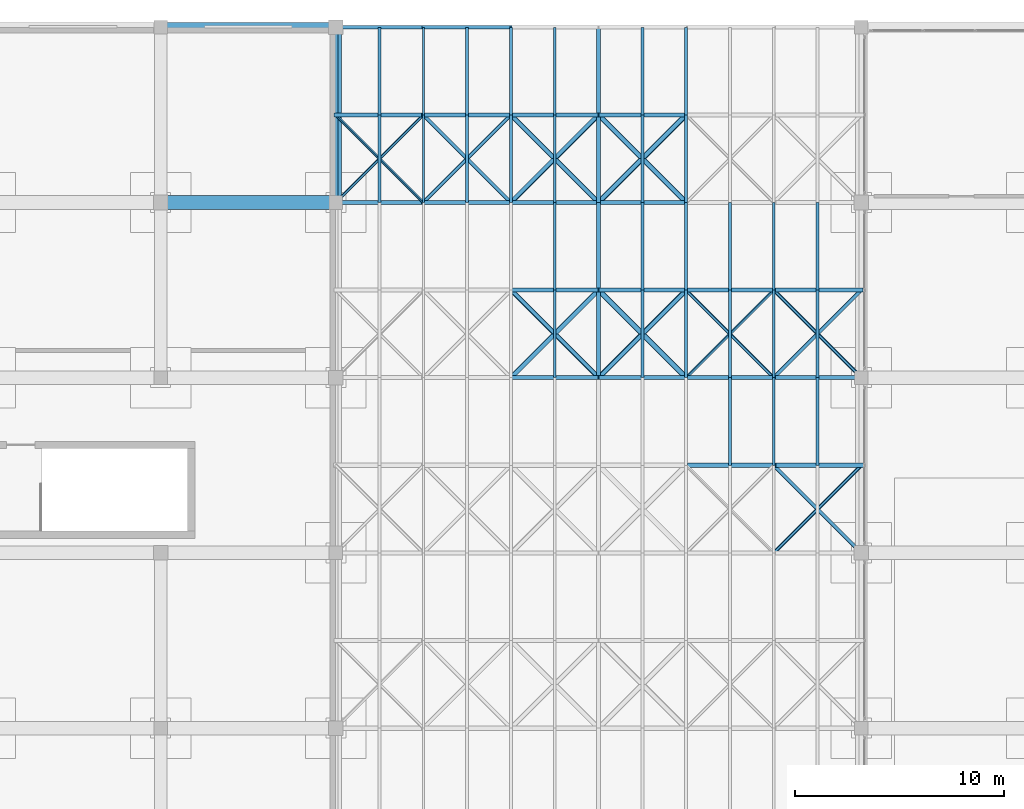
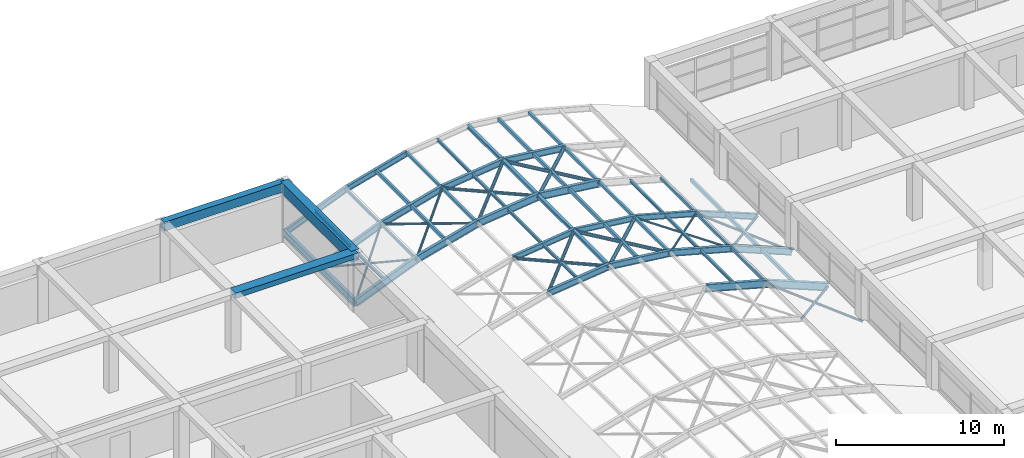
# One storey, part 39 of 85: 71 members, 4 beams.
"""IFC4 building model written with IfcOpenShell, lengths in metres."""

import ifcopenshell
import ifcopenshell.guid

model = None  # the IFC model being written
_history = None  # IfcOwnerHistory: only IFC2X3 demands one
_inside = {}  # id of a spatial element -> (the spatial element, [elements in it])
_under = {}  # id of a project, library or spatial element -> (it, [spatial elements below it])
_declared = {}  # id of a project -> (the project, [libraries it declares])
_typed = {}  # id of a type object -> (the type object, [elements of that type])
_made_of = {}  # id of a material, layer set ... -> (it, [elements and type objects made of it])


def new_model(schema):
    """Start an empty IFC model of exactly this schema.

    Asked for "IFC4X3", IfcOpenShell would pick the latest addendum, in which some entities
    have other attributes; the version numbers below select the first issue.
    IFC2X3 requires an IfcOwnerHistory on every rooted entity: one is made here for all.
    """
    global model, _history
    if schema == "IFC4X3":
        model = ifcopenshell.file(schema_version=(4, 3, 0, 0))
    else:
        model = ifcopenshell.file(schema=schema)
    _inside.clear()
    _under.clear()
    _declared.clear()
    _typed.clear()
    _made_of.clear()
    _history = None
    if model.schema == "IFC2X3":
        org = make("IfcOrganization", Name="unknown")
        user = make(
            "IfcPersonAndOrganization",
            ThePerson=make("IfcPerson", FamilyName="unknown"),
            TheOrganization=org,
        )
        app = make(
            "IfcApplication",
            ApplicationDeveloper=org,
            Version="unknown",
            ApplicationFullName="unknown",
            ApplicationIdentifier="unknown",
        )
        _history = make(
            "IfcOwnerHistory",
            OwningUser=user,
            OwningApplication=app,
            ChangeAction="ADDED",
            CreationDate=0,
        )
    return model


def make(cls, **values):
    """One entity of the class cls with the attributes given. An attribute that is None is left unset."""
    return model.create_entity(
        cls, **{name: value for name, value in values.items() if value is not None}
    )


def rooted(cls, **values):
    """An entity with a GlobalId (a new one), such as an element, a storey or a relation."""
    return make(cls, GlobalId=ifcopenshell.guid.new(), OwnerHistory=_history, **values)


def si_unit(unit_type, name, prefix=None):
    """IfcSIUnit, for example si_unit("LENGTHUNIT", "METRE", prefix="MILLI")."""
    return make("IfcSIUnit", UnitType=unit_type, Prefix=prefix, Name=name)


def assignment(units):
    """IfcUnitAssignment: the units of a project."""
    return None if units is None else make("IfcUnitAssignment", Units=units)


def point(xyz):
    """IfcCartesianPoint."""
    return None if xyz is None else make("IfcCartesianPoint", Coordinates=xyz)


def direction(xyz):
    """IfcDirection."""
    return None if xyz is None else make("IfcDirection", DirectionRatios=xyz)


def frame(location, z_axis=None, x_axis=None):
    """IfcAxis2Placement3D, a coordinate frame: its origin and axes. An axis left out is left unset."""
    return make(
        "IfcAxis2Placement3D",
        Location=point(location),
        Axis=direction(z_axis),
        RefDirection=direction(x_axis),
    )


def frame_2d(location, x_axis=None):
    """IfcAxis2Placement2D, a coordinate frame in the plane: its origin and x axis."""
    return make(
        "IfcAxis2Placement2D", Location=point(location), RefDirection=direction(x_axis)
    )


def origin():
    """The frame at (0, 0, 0) with its axes left unset."""
    return frame((0.0, 0.0, 0.0))


def origin_2d():
    """The frame at (0, 0) in the plane with its x axis left unset."""
    return frame_2d((0.0, 0.0))


def place(relative_to, where):
    """IfcLocalPlacement: puts the frame where relative to a parent placement (None: the world)."""
    return make(
        "IfcLocalPlacement", PlacementRelTo=relative_to, RelativePlacement=where
    )


def context(
    kind, dimensions, precision=None, world=None, true_north=None, identifier=None
):
    """IfcGeometricRepresentationContext, for example the 3D "Model" context."""
    return make(
        "IfcGeometricRepresentationContext",
        ContextIdentifier=identifier,
        ContextType=kind,
        CoordinateSpaceDimension=dimensions,
        Precision=precision,
        WorldCoordinateSystem=world,
        TrueNorth=true_north,
    )


def subcontext(parent, identifier, kind, view, scale=None):
    """IfcGeometricRepresentationSubContext, for example "Body" below "Model"."""
    return make(
        "IfcGeometricRepresentationSubContext",
        ContextIdentifier=identifier,
        ContextType=kind,
        ParentContext=parent,
        TargetScale=scale,
        TargetView=view,
    )


def project(units=None, contexts=None):
    """IfcProject with its units and contexts."""
    return rooted(
        "IfcProject",
        Name="project",
        RepresentationContexts=contexts,
        UnitsInContext=assignment(units),
    )


def spatial(cls, under=None, at=None, **own):
    """A site, building, storey or space (cls), placed at a placement, below another one or the project."""
    s = rooted(cls, ObjectPlacement=at, **own)
    if under is not None:
        _under.setdefault(under.id(), (under, []))[1].append(s)
    return s


def profile(cls, at=None, kind="AREA", **sizes):
    """A parametric profile (cls). Its sizes go by their IFC names, for example OverallWidth=200.0."""
    return make(cls, ProfileType=kind, Position=at, **sizes)


def rectangle(**sizes):
    """IfcRectangleProfileDef."""
    return profile("IfcRectangleProfileDef", **sizes)


def hollow_rectangle(**sizes):
    """IfcRectangleHollowProfileDef."""
    return profile("IfcRectangleHollowProfileDef", **sizes)


def hollow_circle(**sizes):
    """IfcCircleHollowProfileDef."""
    return profile("IfcCircleHollowProfileDef", **sizes)


def i_section(**sizes):
    """IfcIShapeProfileDef."""
    return profile("IfcIShapeProfileDef", **sizes)


def extrude(swept, where, along, depth):
    """IfcExtrudedAreaSolid: the profile swept, set in the frame where, extruded along a direction by depth."""
    return make(
        "IfcExtrudedAreaSolid",
        SweptArea=swept,
        Position=where,
        ExtrudedDirection=direction(along),
        Depth=depth,
    )


def shape(context_of_items, identifier, shape_type, items):
    """IfcShapeRepresentation: the items that make up one representation, for example the "Body"."""
    return make(
        "IfcShapeRepresentation",
        ContextOfItems=context_of_items,
        RepresentationIdentifier=identifier,
        RepresentationType=shape_type,
        Items=items,
    )


def material(Name=None, Category=None):
    """IfcMaterial."""
    return make("IfcMaterial", Name=Name, Category=Category)


def material_profile(
    of_material, cross_section, Name=None, Category=None, Priority=None
):
    """IfcMaterialProfile: a cross section and its material."""
    return make(
        "IfcMaterialProfile",
        Name=Name,
        Material=of_material,
        Profile=cross_section,
        Priority=Priority,
        Category=Category,
    )


def profile_set(profiles, Name=None, composite=None):
    """IfcMaterialProfileSet."""
    return make(
        "IfcMaterialProfileSet",
        Name=Name,
        MaterialProfiles=profiles,
        CompositeProfile=composite,
    )


def made_of(thing, what):
    """Note that an element or type object is made of a material, layer set ...; save() writes the relation."""
    if what is not None:
        _made_of.setdefault(what.id(), (what, []))[1].append(thing)
    return thing


def type_object(cls, material=None, **own):
    """A type object (cls), such as IfcWallType, which elements share."""
    return made_of(rooted(cls, **own), material)


def element(
    cls,
    number,
    at=None,
    inside=None,
    cuts=None,
    type_object=None,
    material=None,
    context=None,
    identifier="Body",
    shape_type=None,
    held_by="IfcProductDefinitionShape",
    body=None,
    shapes=None,
    **own,
):
    """One element of the class cls, such as IfcWall. Its Tag is "e" and its number.

    at: its placement. inside: the storey or other place that contains it. cuts: it is an
    opening in that element (IfcRelVoidsElement). A single representation is given by context,
    identifier, shape_type and body (its items); several are given by shapes. held_by: the class
    of the entity that holds the representations. save() writes the other relations.
    """
    e = rooted(cls, Tag="e%d" % number, ObjectPlacement=at, **own)
    if body is not None:
        shapes = [shape(context, identifier, shape_type, body)]
    if shapes is not None:
        e.Representation = make(held_by, Representations=shapes)
    if inside is not None:
        _inside.setdefault(inside.id(), (inside, []))[1].append(e)
    if cuts is not None:
        rooted(
            "IfcRelVoidsElement", RelatingBuildingElement=cuts, RelatedOpeningElement=e
        )
    if type_object is not None:
        _typed.setdefault(type_object.id(), (type_object, []))[1].append(e)
    return made_of(e, material)


def aggregate(whole, parts):
    """IfcRelAggregates: a whole, such as a stair, and the parts it consists of."""
    return rooted("IfcRelAggregates", RelatingObject=whole, RelatedObjects=parts)


def save(model, path):
    """Write the relations noted so far, then the file.

    IfcRelAggregates (storeys below a building ...), IfcRelContainedInSpatialStructure (elements
    in a storey), IfcRelDefinesByType, IfcRelAssociatesMaterial and IfcRelDeclares: one each for
    every whole, place, type object, material and project.
    """
    for whole, parts in _under.values():
        aggregate(whole, parts)
    for where, things in _inside.values():
        rooted(
            "IfcRelContainedInSpatialStructure",
            RelatedElements=things,
            RelatingStructure=where,
        )
    for kind, things in _typed.values():
        rooted("IfcRelDefinesByType", RelatedObjects=things, RelatingType=kind)
    for what, things in _made_of.values():
        rooted("IfcRelAssociatesMaterial", RelatedObjects=things, RelatingMaterial=what)
    for by, libraries in _declared.values():
        rooted("IfcRelDeclares", RelatingContext=by, RelatedDefinitions=libraries)
    model.write(path)


model = new_model("IFC4")

# Units and contexts
model_context = context("Model", 3, precision=1e-05, world=origin(), true_north=direction((0.0, 1.0)))
body_context = subcontext(model_context, "Body", "Model", "MODEL_VIEW")
ifc_project = project(units=[si_unit("LENGTHUNIT", "METRE"), si_unit("AREAUNIT", "SQUARE_METRE"), si_unit("VOLUMEUNIT", "CUBIC_METRE"), si_unit("PLANEANGLEUNIT", "RADIAN"), si_unit("MASSUNIT", "GRAM", prefix="KILO")], contexts=[model_context])

# Site, building, storey
site_placement = place(None, origin())
site = spatial("IfcSite", under=ifc_project, at=site_placement, CompositionType="ELEMENT")
building_placement = place(site_placement, origin())
building = spatial("IfcBuilding", under=site, at=building_placement, Name="Almacenes y Pasaje Nevantli", CompositionType="ELEMENT")
storey_placement = place(building_placement, frame((0.0, 0.0, 22.199951171875)))
storey = spatial("IfcBuildingStorey", under=building, at=storey_placement, Name="L05", CompositionType="ELEMENT", Elevation=22.199951171875)

# Beams
ifc_material_1 = material(Name="Concrete C35/45", Category="concrete")
ifc_material_profile_1 = material_profile(ifc_material_1, rectangle(XDim=0.449951171875, YDim=0.64990234375, at=origin_2d()), Name="RC-BM-450x650")
ifc_profile_set_1 = profile_set([ifc_material_profile_1], Name="Concrete C35/45")
beam_type_1 = type_object("IfcBeamType", Name="BM-RC-450x650", PredefinedType="SPANDREL", material=ifc_profile_set_1)
beam_1_placement = place(storey_placement, frame((58.800048828125, 117.60009765625, 3.89501953125), z_axis=(1.0, 0.0, 0.0), x_axis=(0.0, 1.0, 0.0)))
element("IfcBeam", 1, at=beam_1_placement, inside=storey, type_object=beam_type_1, Name="L05 East-West Reinforced Concrete Beam #3412", PredefinedType="SPANDREL", context=body_context, shape_type="SweptSolid", body=[
    extrude(rectangle(XDim=0.449951171875, YDim=0.64990234375, at=origin_2d()), origin(), (0.0, 0.0, 1.0), 8.39990234375),
])
ifc_material_2 = material(Name="Concrete C35/45", Category="concrete")
ifc_material_profile_2 = material_profile(ifc_material_2, rectangle(XDim=0.550048828125, YDim=0.800048828125, at=origin_2d()), Name="RC-BM-550x800")
ifc_profile_set_2 = profile_set([ifc_material_profile_2], Name="Concrete C35/45")
beam_type_2 = type_object("IfcBeamType", Name="BM-RC-550x800", PredefinedType="BEAM", material=ifc_profile_set_2)
beam_2_placement = place(storey_placement, frame((67.199951171875, 109.199951171875, 3.820068359375), z_axis=(0.0, 1.0, 0.0), x_axis=(-1.0, 0.0, 0.0)))
element("IfcBeam", 2, at=beam_2_placement, inside=storey, type_object=beam_type_2, Name="L05 North-South Reinforced Concrete Beam #3463", PredefinedType="BEAM", context=body_context, shape_type="SweptSolid", body=[
    extrude(rectangle(XDim=0.550048828125, YDim=0.800048828125, at=origin_2d()), origin(), (0.0, 0.0, 1.0), 8.400146484375),
])
ifc_material_3 = material(Name="Concrete C35/45", Category="concrete")
ifc_material_profile_3 = material_profile(ifc_material_3, rectangle(XDim=0.64990234375, YDim=0.3798828125, at=origin_2d()), Name="RC-BM-650x380")
ifc_profile_set_3 = profile_set([ifc_material_profile_3], Name="Concrete C35/45")
beam_type_3 = type_object("IfcBeamType", Name="BM-RC-650x380", PredefinedType="BEAM", material=ifc_profile_set_3)
beam_3_placement = place(storey_placement, frame((58.800048828125, 109.199951171875, 4.030029296875), z_axis=(1.0, 0.0, 0.0), x_axis=(0.0, 1.0, 0.0)))
element("IfcBeam", 3, at=beam_3_placement, inside=storey, type_object=beam_type_3, Name="L05 East-West Reinforced Concrete Beam #3395", PredefinedType="BEAM", context=body_context, shape_type="SweptSolid", body=[
    extrude(rectangle(XDim=0.64990234375, YDim=0.3798828125, at=origin_2d()), origin(), (0.0, 0.0, 1.0), 8.39990234375),
])
ifc_material_4 = material(Name="Steel ASTM A992", Category="steel")
ifc_material_profile_4 = material_profile(ifc_material_4, i_section(OverallWidth=0.208984375, OverallDepth=0.532958984375, WebThickness=0.01025390625, FlangeThickness=0.015625, at=origin_2d()), Name="IR 533x92.5")
ifc_profile_set_4 = profile_set([ifc_material_profile_4], Name="Steel ASTM A992")
beam_type_4 = type_object("IfcBeamType", Name="BM-STL-IR-533x92p5", PredefinedType="BEAM", material=ifc_profile_set_4)
beam_4_placement = place(storey_placement, frame((67.199951171875, 109.199951171875, 0.400146484375), z_axis=(0.0, 1.0, 0.0), x_axis=(-1.0, 0.0, 0.0)))
element("IfcBeam", 4, at=beam_4_placement, inside=storey, type_object=beam_type_4, Name="L05 Arcade Barrel Vault Eave Steel Girder #1.14", PredefinedType="BEAM", context=body_context, shape_type="SweptSolid", body=[
    extrude(i_section(OverallWidth=0.208984375, OverallDepth=0.532958984375, WebThickness=0.01025390625, FlangeThickness=0.015625, at=origin_2d()), origin(), (0.0, 0.0, 1.0), 8.400146484375),
])

# Members
ifc_material_5 = material(Name="Steel ASTM A992", Category="steel")
ifc_material_profile_5 = material_profile(ifc_material_5, i_section(OverallWidth=0.180908203125, OverallDepth=0.406005859375, WebThickness=0.010986328125, FlangeThickness=0.018310546875, at=origin_2d()), Name="IR 406x85.0")
ifc_profile_set_5 = profile_set([ifc_material_profile_5], Name="Steel ASTM A992")
member_type_1 = type_object("IfcMemberType", Name="MBR-ARCH-IR406x85", PredefinedType="USERDEFINED", material=ifc_profile_set_5)
for number, where, z_axis, x_axis, name in (
    (5, (75.60009765625, 105.0, 3.25), (0.99298811287, 0.0, 0.118214244908), (0.0, 1.0, 0.0), "Arcade Barrel Vault Steel Arch Rib 26.3"),
    (6, (79.800048828125, 105.0, 3.75), (0.99298811287, 0.0, -0.118214244908), (0.0, 1.0, 0.0), "Arcade Barrel Vault Steel Arch Rib 26.4"),
):
    element("IfcMember", number, at=place(storey_placement, frame(where, z_axis=z_axis, x_axis=x_axis)), inside=storey, type_object=member_type_1, Name=name, ObjectType="ARCH RIB", PredefinedType="USERDEFINED", context=body_context, shape_type="SweptSolid", body=[
        extrude(i_section(OverallWidth=0.180908203125, OverallDepth=0.406005859375, WebThickness=0.010986328125, FlangeThickness=0.018310546875, at=origin_2d()), origin(), (0.0, 0.0, 1.0), 4.2294921875),
    ])
member_1_placement = place(storey_placement, frame((84.0, 105.0, 3.25), z_axis=(0.964503290046, 0.0, -0.264070830443), x_axis=(0.0, 1.0, 0.0)))
element("IfcMember", 7, at=member_1_placement, inside=storey, type_object=member_type_1, Name="Arcade Barrel Vault Steel Arch Rib 26.5", ObjectType="ARCH RIB", PredefinedType="USERDEFINED", context=body_context, shape_type="SweptSolid", body=[
    extrude(i_section(OverallWidth=0.180908203125, OverallDepth=0.406005859375, WebThickness=0.010986328125, FlangeThickness=0.018310546875, at=origin_2d()), origin(), (0.0, 0.0, 1.0), 4.3544921875),
])
for number, where, z_axis, x_axis, name in (
    (8, (88.199951171875, 105.0, 2.10009765625), (0.926949044115, 0.0, -0.375187246072), (0.0, 1.0, 0.0), "Arcade Barrel Vault Steel Arch Rib 26.6"),
    (9, (67.199951171875, 117.60009765625, 0.400146484375), (0.926949044115, 0.0, 0.375187246072), (0.0, 1.0, 0.0), "Arcade Barrel Vault Steel Arch Rib 29.1"),
):
    element("IfcMember", number, at=place(storey_placement, frame(where, z_axis=z_axis, x_axis=x_axis)), inside=storey, type_object=member_type_1, Name=name, ObjectType="ARCH RIB", PredefinedType="USERDEFINED", context=body_context, shape_type="SweptSolid", body=[
        extrude(i_section(OverallWidth=0.180908203125, OverallDepth=0.406005859375, WebThickness=0.010986328125, FlangeThickness=0.018310546875, at=origin_2d()), origin(), (0.0, 0.0, 1.0), 4.531005859375),
    ])
member_2_placement = place(storey_placement, frame((71.39990234375, 117.60009765625, 2.10009765625), z_axis=(0.964507199401, 0.0, 0.264056551336), x_axis=(0.0, 1.0, 0.0)))
element("IfcMember", 10, at=member_2_placement, inside=storey, type_object=member_type_1, Name="Arcade Barrel Vault Steel Arch Rib 29.2", ObjectType="ARCH RIB", PredefinedType="USERDEFINED", context=body_context, shape_type="SweptSolid", body=[
    extrude(i_section(OverallWidth=0.180908203125, OverallDepth=0.406005859375, WebThickness=0.010986328125, FlangeThickness=0.018310546875, at=origin_2d()), origin(), (0.0, 0.0, 1.0), 4.354736328125),
])
ifc_material_6 = material(Name="Steel ASTM A992", Category="steel")
ifc_material_profile_6 = material_profile(ifc_material_6, i_section(OverallWidth=0.193115234375, OverallDepth=0.4599609375, WebThickness=0.011474609375, FlangeThickness=0.01904296875, at=origin_2d()), Name="IR 457x96.7")
ifc_profile_set_6 = profile_set([ifc_material_profile_6], Name="Steel ASTM A992")
member_type_2 = type_object("IfcMemberType", Name="MBR-ARCH-IR457x96", PredefinedType="USERDEFINED", material=ifc_profile_set_6)
for number, where, z_axis, x_axis, name in (
    (11, (75.60009765625, 100.800048828125, 3.25), (0.99298811287, 0.0, 0.118214244908), (0.0, 1.0, 0.0), "Arcade Barrel Vault Steel Arch Rib 25.3"),
    (12, (79.800048828125, 100.800048828125, 3.75), (0.99298811287, 0.0, -0.118214244908), (0.0, 1.0, 0.0), "Arcade Barrel Vault Steel Arch Rib 25.4"),
):
    element("IfcMember", number, at=place(storey_placement, frame(where, z_axis=z_axis, x_axis=x_axis)), inside=storey, type_object=member_type_2, Name=name, ObjectType="ARCH RIB", PredefinedType="USERDEFINED", context=body_context, shape_type="SweptSolid", body=[
        extrude(i_section(OverallWidth=0.193115234375, OverallDepth=0.4599609375, WebThickness=0.011474609375, FlangeThickness=0.01904296875, at=origin_2d()), origin(), (0.0, 0.0, 1.0), 4.2294921875),
    ])
member_3_placement = place(storey_placement, frame((84.0, 100.800048828125, 3.25), z_axis=(0.964503290046, 0.0, -0.264070830443), x_axis=(0.0, 1.0, 0.0)))
element("IfcMember", 13, at=member_3_placement, inside=storey, type_object=member_type_2, Name="Arcade Barrel Vault Steel Arch Rib 25.5", ObjectType="ARCH RIB", PredefinedType="USERDEFINED", context=body_context, shape_type="SweptSolid", body=[
    extrude(i_section(OverallWidth=0.193115234375, OverallDepth=0.4599609375, WebThickness=0.011474609375, FlangeThickness=0.01904296875, at=origin_2d()), origin(), (0.0, 0.0, 1.0), 4.3544921875),
])
for number, where, z_axis, x_axis, name in (
    (14, (88.199951171875, 100.800048828125, 2.10009765625), (0.926949044115, 0.0, -0.375187246072), (0.0, 1.0, 0.0), "Arcade Barrel Vault Steel Arch Rib 25.6"),
    (15, (67.199951171875, 113.39990234375, 0.400146484375), (0.926949044115, 0.0, 0.375187246072), (0.0, 1.0, 0.0), "Arcade Barrel Vault Steel Arch Rib 28.1"),
):
    element("IfcMember", number, at=place(storey_placement, frame(where, z_axis=z_axis, x_axis=x_axis)), inside=storey, type_object=member_type_2, Name=name, ObjectType="ARCH RIB", PredefinedType="USERDEFINED", context=body_context, shape_type="SweptSolid", body=[
        extrude(i_section(OverallWidth=0.193115234375, OverallDepth=0.4599609375, WebThickness=0.011474609375, FlangeThickness=0.01904296875, at=origin_2d()), origin(), (0.0, 0.0, 1.0), 4.531005859375),
    ])
member_4_placement = place(storey_placement, frame((71.39990234375, 113.39990234375, 2.10009765625), z_axis=(0.964507199401, 0.0, 0.264056551336), x_axis=(0.0, 1.0, 0.0)))
element("IfcMember", 16, at=member_4_placement, inside=storey, type_object=member_type_2, Name="Arcade Barrel Vault Steel Arch Rib 28.2", ObjectType="ARCH RIB", PredefinedType="USERDEFINED", context=body_context, shape_type="SweptSolid", body=[
    extrude(i_section(OverallWidth=0.193115234375, OverallDepth=0.4599609375, WebThickness=0.011474609375, FlangeThickness=0.01904296875, at=origin_2d()), origin(), (0.0, 0.0, 1.0), 4.354736328125),
])
for number, where, z_axis, x_axis, name in (
    (17, (75.60009765625, 113.39990234375, 3.25), (0.99298811287, 0.0, 0.118214244908), (0.0, 1.0, 0.0), "Arcade Barrel Vault Steel Arch Rib 28.3"),
    (18, (79.800048828125, 113.39990234375, 3.75), (0.99298811287, 0.0, -0.118214244908), (0.0, 1.0, 0.0), "Arcade Barrel Vault Steel Arch Rib 28.4"),
):
    element("IfcMember", number, at=place(storey_placement, frame(where, z_axis=z_axis, x_axis=x_axis)), inside=storey, type_object=member_type_2, Name=name, ObjectType="ARCH RIB", PredefinedType="USERDEFINED", context=body_context, shape_type="SweptSolid", body=[
        extrude(i_section(OverallWidth=0.193115234375, OverallDepth=0.4599609375, WebThickness=0.011474609375, FlangeThickness=0.01904296875, at=origin_2d()), origin(), (0.0, 0.0, 1.0), 4.2294921875),
    ])
ifc_material_7 = material(Name="Steel ASTM A992", Category="steel")
ifc_material_profile_7 = material_profile(ifc_material_7, i_section(OverallWidth=0.208984375, OverallDepth=0.532958984375, WebThickness=0.01025390625, FlangeThickness=0.015625, at=origin_2d()), Name="IR 533x92.5")
ifc_profile_set_7 = profile_set([ifc_material_profile_7], Name="Steel ASTM A992")
member_type_3 = type_object("IfcMemberType", Name="MBR-ARCH-IR533x92", PredefinedType="USERDEFINED", material=ifc_profile_set_7)
member_5_placement = place(storey_placement, frame((84.0, 96.60009765625, 3.25), z_axis=(0.964503290046, 0.0, -0.264070830443), x_axis=(0.0, 1.0, 0.0)))
element("IfcMember", 19, at=member_5_placement, inside=storey, type_object=member_type_3, Name="Arcade Barrel Vault Steel Arch Rib 24.5", ObjectType="ARCH RIB", PredefinedType="USERDEFINED", context=body_context, shape_type="SweptSolid", body=[
    extrude(i_section(OverallWidth=0.208984375, OverallDepth=0.532958984375, WebThickness=0.01025390625, FlangeThickness=0.015625, at=origin_2d()), origin(), (0.0, 0.0, 1.0), 4.3544921875),
])
for number, where, z_axis, x_axis, name in (
    (20, (88.199951171875, 96.60009765625, 2.10009765625), (0.926949044115, 0.0, -0.375187246072), (0.0, 1.0, 0.0), "Arcade Barrel Vault Steel Arch Rib 24.6"),
    (21, (67.199951171875, 109.199951171875, 0.400146484375), (0.926949044115, 0.0, 0.375187246072), (0.0, 1.0, 0.0), "Arcade Barrel Vault Steel Arch Rib 27.1"),
):
    element("IfcMember", number, at=place(storey_placement, frame(where, z_axis=z_axis, x_axis=x_axis)), inside=storey, type_object=member_type_3, Name=name, ObjectType="ARCH RIB", PredefinedType="USERDEFINED", context=body_context, shape_type="SweptSolid", body=[
        extrude(i_section(OverallWidth=0.208984375, OverallDepth=0.532958984375, WebThickness=0.01025390625, FlangeThickness=0.015625, at=origin_2d()), origin(), (0.0, 0.0, 1.0), 4.531005859375),
    ])
member_6_placement = place(storey_placement, frame((71.39990234375, 109.199951171875, 2.10009765625), z_axis=(0.964507199401, 0.0, 0.264056551336), x_axis=(0.0, 1.0, 0.0)))
element("IfcMember", 22, at=member_6_placement, inside=storey, type_object=member_type_3, Name="Arcade Barrel Vault Steel Arch Rib 27.2", ObjectType="ARCH RIB", PredefinedType="USERDEFINED", context=body_context, shape_type="SweptSolid", body=[
    extrude(i_section(OverallWidth=0.208984375, OverallDepth=0.532958984375, WebThickness=0.01025390625, FlangeThickness=0.015625, at=origin_2d()), origin(), (0.0, 0.0, 1.0), 4.354736328125),
])
for number, where, z_axis, x_axis, name in (
    (23, (75.60009765625, 109.199951171875, 3.25), (0.99298811287, 0.0, 0.118214244908), (0.0, 1.0, 0.0), "Arcade Barrel Vault Steel Arch Rib 27.3"),
    (24, (79.800048828125, 109.199951171875, 3.75), (0.99298811287, 0.0, -0.118214244908), (0.0, 1.0, 0.0), "Arcade Barrel Vault Steel Arch Rib 27.4"),
):
    element("IfcMember", number, at=place(storey_placement, frame(where, z_axis=z_axis, x_axis=x_axis)), inside=storey, type_object=member_type_3, Name=name, ObjectType="ARCH RIB", PredefinedType="USERDEFINED", context=body_context, shape_type="SweptSolid", body=[
        extrude(i_section(OverallWidth=0.208984375, OverallDepth=0.532958984375, WebThickness=0.01025390625, FlangeThickness=0.015625, at=origin_2d()), origin(), (0.0, 0.0, 1.0), 4.2294921875),
    ])
ifc_material_8 = material(Name="Steel ASTM A500 Grade C", Category="steel")
ifc_material_profile_8 = material_profile(ifc_material_8, hollow_circle(Radius=0.070556640625, WallThickness=0.006591796875, at=origin_2d()), Name="OC 141x6.6")
ifc_profile_set_8 = profile_set([ifc_material_profile_8], Name="Steel ASTM A500 Grade C")
member_type_4 = type_object("IfcMemberType", Name="MBR-BRC-OC141", PredefinedType="BRACE", material=ifc_profile_set_8)
for number, where, z_axis, x_axis, name in (
    (25, (84.0, 100.800048828125, 3.25), (0.694216714393, 0.694216714393, -0.190069216113), (-0.707106781187, 0.707106781187, 0.0), "Arcade Barrel Vault Wind Brace 25.5A"),
    (26, (88.199951171875, 100.800048828125, 2.10009765625), (-0.694216714393, 0.694216714393, 0.190069216113), (-0.707106781187, -0.707106781187, 0.0), "Arcade Barrel Vault Wind Brace 25.5B"),
):
    element("IfcMember", number, at=place(storey_placement, frame(where, z_axis=z_axis, x_axis=x_axis)), inside=storey, type_object=member_type_4, Name=name, PredefinedType="BRACE", context=body_context, shape_type="SweptSolid", body=[
        extrude(hollow_circle(Radius=0.070556640625, WallThickness=0.006591796875, at=origin_2d()), origin(), (0.0, 0.0, 1.0), 6.0498046875),
    ])
for number, where, z_axis, x_axis, name in (
    (27, (67.199951171875, 109.199951171875, 0.400146484375), (0.679811915702, 0.679811915702, 0.275157261468), (-0.707106781187, 0.707106781187, 0.0), "Arcade Barrel Vault Wind Brace 27.1A"),
    (28, (71.39990234375, 109.199951171875, 2.10009765625), (-0.679811915702, 0.679811915702, -0.275157261468), (-0.707106781187, -0.707106781187, 0.0), "Arcade Barrel Vault Wind Brace 27.1B"),
):
    element("IfcMember", number, at=place(storey_placement, frame(where, z_axis=z_axis, x_axis=x_axis)), inside=storey, type_object=member_type_4, Name=name, PredefinedType="BRACE", context=body_context, shape_type="SweptSolid", body=[
        extrude(hollow_circle(Radius=0.070556640625, WallThickness=0.006591796875, at=origin_2d()), origin(), (0.0, 0.0, 1.0), 6.17822265625),
    ])
ifc_material_9 = material(Name="Steel ASTM A500 Grade C", Category="steel")
ifc_material_profile_9 = material_profile(ifc_material_9, hollow_circle(Radius=0.084228515625, WallThickness=0.007080078125, at=origin_2d()), Name="OC 168x7.1")
ifc_profile_set_9 = profile_set([ifc_material_profile_9], Name="Steel ASTM A500 Grade C")
member_type_5 = type_object("IfcMemberType", Name="MBR-BRC-OC168", PredefinedType="BRACE", material=ifc_profile_set_9)
for number, where, z_axis, x_axis, name in (
    (29, (88.199951171875, 92.39990234375, 2.10009765625), (0.679793653327, 0.679833169322, -0.275149869681), (-0.707127332136, 0.70708622964, 0.0), "Arcade Barrel Vault Wind Brace 23.6A"),
    (30, (92.39990234375, 92.39990234375, 0.400146484375), (-0.679793653327, 0.679833169322, 0.275149869681), (-0.707127332136, -0.70708622964, 0.0), "Arcade Barrel Vault Wind Brace 23.6B"),
    (31, (88.199951171875, 100.800048828125, 2.10009765625), (0.679811915702, 0.679811915702, -0.275157261468), (-0.707106781187, 0.707106781187, 0.0), "Arcade Barrel Vault Wind Brace 25.6A"),
    (32, (92.39990234375, 100.800048828125, 0.400146484375), (-0.679811915702, 0.679811915702, 0.275157261468), (-0.707106781187, -0.707106781187, 0.0), "Arcade Barrel Vault Wind Brace 25.6B"),
):
    element("IfcMember", number, at=place(storey_placement, frame(where, z_axis=z_axis, x_axis=x_axis)), inside=storey, type_object=member_type_5, Name=name, PredefinedType="BRACE", context=body_context, shape_type="SweptSolid", body=[
        extrude(hollow_circle(Radius=0.084228515625, WallThickness=0.007080078125, at=origin_2d()), origin(), (0.0, 0.0, 1.0), 6.17822265625),
    ])
for number, where, z_axis, x_axis, name in (
    (33, (71.39990234375, 109.199951171875, 2.10009765625), (0.694237619642, 0.694197266374, 0.19006389145), (-0.70708622964, 0.707127332136, 0.0), "Arcade Barrel Vault Wind Brace 27.2A"),
    (34, (75.60009765625, 109.199951171875, 3.25), (-0.694237619642, 0.694197266374, -0.19006389145), (-0.70708622964, -0.707127332136, 0.0), "Arcade Barrel Vault Wind Brace 27.2B"),
):
    element("IfcMember", number, at=place(storey_placement, frame(where, z_axis=z_axis, x_axis=x_axis)), inside=storey, type_object=member_type_5, Name=name, PredefinedType="BRACE", context=body_context, shape_type="SweptSolid", body=[
        extrude(hollow_circle(Radius=0.084228515625, WallThickness=0.007080078125, at=origin_2d()), origin(), (0.0, 0.0, 1.0), 6.050048828125),
    ])
ifc_material_10 = material(Name="Steel ASTM A500 Grade C", Category="steel")
ifc_material_profile_10 = material_profile(ifc_material_10, hollow_circle(Radius=0.109619140625, WallThickness=0.00830078125, at=origin_2d()), Name="OC 219x8.2")
ifc_profile_set_10 = profile_set([ifc_material_profile_10], Name="Steel ASTM A500 Grade C")
member_type_6 = type_object("IfcMemberType", Name="MBR-BRC-OC219", PredefinedType="BRACE", material=ifc_profile_set_10)
for number, where, z_axis, x_axis, name in (
    (35, (75.60009765625, 100.800048828125, 3.25), (0.70461462169, 0.70461462169, 0.083883668268), (-0.707106781187, 0.707106781187, 0.0), "Arcade Barrel Vault Wind Brace 25.3A"),
    (36, (79.800048828125, 100.800048828125, 3.75), (-0.70461462169, 0.70461462169, -0.083883668268), (-0.707106781187, -0.707106781187, 0.0), "Arcade Barrel Vault Wind Brace 25.3B"),
    (37, (75.60009765625, 109.199951171875, 3.25), (0.70461462169, 0.70461462169, 0.083883668268), (-0.707106781187, 0.707106781187, 0.0), "Arcade Barrel Vault Wind Brace 27.3A"),
    (38, (79.800048828125, 109.199951171875, 3.75), (-0.70461462169, 0.70461462169, -0.083883668268), (-0.707106781187, -0.707106781187, 0.0), "Arcade Barrel Vault Wind Brace 27.3B"),
):
    element("IfcMember", number, at=place(storey_placement, frame(where, z_axis=z_axis, x_axis=x_axis)), inside=storey, type_object=member_type_6, Name=name, PredefinedType="BRACE", context=body_context, shape_type="SweptSolid", body=[
        extrude(hollow_circle(Radius=0.109619140625, WallThickness=0.00830078125, at=origin_2d()), origin(), (0.0, 0.0, 1.0), 5.960693359375),
    ])
ifc_material_11 = material(Name="Steel ASTM A500 Grade C", Category="steel")
ifc_material_profile_11 = material_profile(ifc_material_11, hollow_circle(Radius=0.122314453125, WallThickness=0.0087890625, at=origin_2d()), Name="OC 244x8.9")
ifc_profile_set_11 = profile_set([ifc_material_profile_11], Name="Steel ASTM A500 Grade C")
member_type_7 = type_object("IfcMemberType", Name="MBR-BRC-OC244", PredefinedType="BRACE", material=ifc_profile_set_11)
for number, where, z_axis, x_axis, name in (
    (39, (79.800048828125, 100.800048828125, 3.75), (0.70461462169, 0.70461462169, -0.083883668268), (-0.707106781187, 0.707106781187, 0.0), "Arcade Barrel Vault Wind Brace 25.4A"),
    (40, (84.0, 100.800048828125, 3.25), (-0.70461462169, 0.70461462169, 0.083883668268), (-0.707106781187, -0.707106781187, 0.0), "Arcade Barrel Vault Wind Brace 25.4B"),
    (41, (79.800048828125, 109.199951171875, 3.75), (0.70461462169, 0.70461462169, -0.083883668268), (-0.707106781187, 0.707106781187, 0.0), "Arcade Barrel Vault Wind Brace 27.4A"),
    (42, (84.0, 109.199951171875, 3.25), (-0.70461462169, 0.70461462169, 0.083883668268), (-0.707106781187, -0.707106781187, 0.0), "Arcade Barrel Vault Wind Brace 27.4B"),
):
    element("IfcMember", number, at=place(storey_placement, frame(where, z_axis=z_axis, x_axis=x_axis)), inside=storey, type_object=member_type_7, Name=name, PredefinedType="BRACE", context=body_context, shape_type="SweptSolid", body=[
        extrude(hollow_circle(Radius=0.122314453125, WallThickness=0.0087890625, at=origin_2d()), origin(), (0.0, 0.0, 1.0), 5.960693359375),
    ])
ifc_material_12 = material(Name="Steel ASTM A992", Category="steel")
ifc_material_profile_12 = material_profile(ifc_material_12, i_section(OverallWidth=0.134033203125, OverallDepth=0.2099609375, WebThickness=0.00634765625, FlangeThickness=0.01025390625, at=origin_2d()), Name="IR 203x31.3")
ifc_profile_set_12 = profile_set([ifc_material_profile_12], Name="Steel ASTM A992")
member_type_8 = type_object("IfcMemberType", Name="MBR-PUR-IR203x31", PredefinedType="PURLIN", material=ifc_profile_set_12)
for number, where, z_axis, x_axis, name in (
    (43, (86.10009765625, 96.60009765625, 2.675048828125), (0.0, 1.0, 0.0), (-1.0, 0.0, 0.0), "Arcade Barrel Vault Secondary Steel Purlin #263"),
    (44, (77.699951171875, 100.800048828125, 3.5), (0.0, 1.0, 0.0), (-1.0, 0.0, 0.0), "Arcade Barrel Vault Secondary Steel Purlin #272"),
    (45, (86.10009765625, 100.800048828125, 2.675048828125), (0.0, 1.0, 0.0), (-1.0, 0.0, 0.0), "Arcade Barrel Vault Secondary Steel Purlin #274"),
    (46, (77.699951171875, 105.0, 3.5), (0.0, 1.0, 0.0), (-1.0, 0.0, 0.0), "Arcade Barrel Vault Secondary Steel Purlin #283"),
    (47, (86.10009765625, 105.0, 2.675048828125), (0.0, 1.0, 0.0), (-1.0, 0.0, 0.0), "Arcade Barrel Vault Secondary Steel Purlin #285"),
    (48, (69.300048828125, 109.199951171875, 1.25), (0.0, 1.0, 0.0), (-1.0, 0.0, 0.0), "Arcade Barrel Vault Secondary Steel Purlin #292"),
    (49, (77.699951171875, 109.199951171875, 3.5), (0.0, 1.0, 0.0), (-1.0, 0.0, 0.0), "Arcade Barrel Vault Secondary Steel Purlin #294"),
):
    element("IfcMember", number, at=place(storey_placement, frame(where, z_axis=z_axis, x_axis=x_axis)), inside=storey, type_object=member_type_8, Name=name, PredefinedType="PURLIN", context=body_context, shape_type="SweptSolid", body=[
        extrude(i_section(OverallWidth=0.134033203125, OverallDepth=0.2099609375, WebThickness=0.00634765625, FlangeThickness=0.01025390625, at=origin_2d()), origin(), (0.0, 0.0, 1.0), 4.199951171875),
    ])
for number, where, z_axis, x_axis, name in (
    (50, (69.300048828125, 113.39990234375, 1.25), (0.0, 1.0, 0.0), (-1.0, 0.0, 0.0), "Arcade Barrel Vault Secondary Steel Purlin #303"),
    (51, (77.699951171875, 113.39990234375, 3.5), (0.0, 1.0, 0.0), (-1.0, 0.0, 0.0), "Arcade Barrel Vault Secondary Steel Purlin #305"),
):
    element("IfcMember", number, at=place(storey_placement, frame(where, z_axis=z_axis, x_axis=x_axis)), inside=storey, type_object=member_type_8, Name=name, PredefinedType="PURLIN", context=body_context, shape_type="SweptSolid", body=[
        extrude(i_section(OverallWidth=0.134033203125, OverallDepth=0.2099609375, WebThickness=0.00634765625, FlangeThickness=0.01025390625, at=origin_2d()), origin(), (0.0, 0.0, 1.0), 4.2001953125),
    ])
ifc_material_13 = material(Name="Steel ASTM A992", Category="steel")
ifc_material_profile_13 = material_profile(ifc_material_13, i_section(OverallWidth=0.202880859375, OverallDepth=0.25390625, WebThickness=0.00732421875, FlangeThickness=0.010986328125, at=origin_2d()), Name="IR 254x49.1")
ifc_profile_set_13 = profile_set([ifc_material_profile_13], Name="Steel ASTM A992")
member_type_9 = type_object("IfcMemberType", Name="MBR-PUR-IR254x49", PredefinedType="PURLIN", material=ifc_profile_set_13)
for number, where, z_axis, x_axis, name in (
    (52, (79.800048828125, 100.800048828125, 3.75), (0.0, 1.0, 0.0), (-1.0, 0.0, 0.0), "Arcade Barrel Vault Steel Purlin #267"),
    (53, (79.800048828125, 105.0, 3.75), (0.0, 1.0, 0.0), (-1.0, 0.0, 0.0), "Arcade Barrel Vault Steel Purlin #278"),
    (54, (79.800048828125, 109.199951171875, 3.75), (0.0, 1.0, 0.0), (-1.0, 0.0, 0.0), "Arcade Barrel Vault Steel Purlin #289"),
):
    element("IfcMember", number, at=place(storey_placement, frame(where, z_axis=z_axis, x_axis=x_axis)), inside=storey, type_object=member_type_9, Name=name, PredefinedType="PURLIN", context=body_context, shape_type="SweptSolid", body=[
        extrude(i_section(OverallWidth=0.202880859375, OverallDepth=0.25390625, WebThickness=0.00732421875, FlangeThickness=0.010986328125, at=origin_2d()), origin(), (0.0, 0.0, 1.0), 4.199951171875),
    ])
member_7_placement = place(storey_placement, frame((79.800048828125, 113.39990234375, 3.75), z_axis=(0.0, 1.0, 0.0), x_axis=(-1.0, 0.0, 0.0)))
element("IfcMember", 55, at=member_7_placement, inside=storey, type_object=member_type_9, Name="Arcade Barrel Vault Steel Purlin #300", PredefinedType="PURLIN", context=body_context, shape_type="SweptSolid", body=[
    extrude(i_section(OverallWidth=0.202880859375, OverallDepth=0.25390625, WebThickness=0.00732421875, FlangeThickness=0.010986328125, at=origin_2d()), origin(), (0.0, 0.0, 1.0), 4.2001953125),
])
ifc_material_14 = material(Name="Steel ASTM A500 Grade C", Category="steel")
ifc_material_profile_14 = material_profile(ifc_material_14, hollow_rectangle(XDim=0.1015625, YDim=0.203125, WallThickness=0.0078125, at=origin_2d()), Name="OR 203x102x7.9")
ifc_profile_set_14 = profile_set([ifc_material_profile_14], Name="Steel ASTM A500 Grade C")
member_type_10 = type_object("IfcMemberType", Name="MBR-PUR-OR203x102", PredefinedType="PURLIN", material=ifc_profile_set_14)
for number, where, z_axis, x_axis, name in (
    (56, (88.199951171875, 96.60009765625, 2.10009765625), (0.0, 1.0, 0.0), (-1.0, 0.0, 0.0), "Arcade Barrel Vault Steel Purlin #258"),
    (57, (88.199951171875, 100.800048828125, 2.10009765625), (0.0, 1.0, 0.0), (-1.0, 0.0, 0.0), "Arcade Barrel Vault Steel Purlin #269"),
    (58, (88.199951171875, 105.0, 2.10009765625), (0.0, 1.0, 0.0), (-1.0, 0.0, 0.0), "Arcade Barrel Vault Steel Purlin #280"),
    (59, (71.39990234375, 109.199951171875, 2.10009765625), (0.0, 1.0, 0.0), (-1.0, 0.0, 0.0), "Arcade Barrel Vault Steel Purlin #287"),
):
    element("IfcMember", number, at=place(storey_placement, frame(where, z_axis=z_axis, x_axis=x_axis)), inside=storey, type_object=member_type_10, Name=name, PredefinedType="PURLIN", context=body_context, shape_type="SweptSolid", body=[
        extrude(hollow_rectangle(XDim=0.1015625, YDim=0.203125, WallThickness=0.0078125, at=origin_2d()), origin(), (0.0, 0.0, 1.0), 4.199951171875),
    ])
member_8_placement = place(storey_placement, frame((71.39990234375, 113.39990234375, 2.10009765625), z_axis=(0.0, 1.0, 0.0), x_axis=(-1.0, 0.0, 0.0)))
element("IfcMember", 60, at=member_8_placement, inside=storey, type_object=member_type_10, Name="Arcade Barrel Vault Steel Purlin #298", PredefinedType="PURLIN", context=body_context, shape_type="SweptSolid", body=[
    extrude(hollow_rectangle(XDim=0.1015625, YDim=0.203125, WallThickness=0.0078125, at=origin_2d()), origin(), (0.0, 0.0, 1.0), 4.2001953125),
])
ifc_material_15 = material(Name="Steel ASTM A500 Grade C", Category="steel")
ifc_material_profile_15 = material_profile(ifc_material_15, hollow_rectangle(XDim=0.15234375, YDim=0.203125, WallThickness=0.0078125, at=origin_2d()), Name="OR 203x152x7.9")
ifc_profile_set_15 = profile_set([ifc_material_profile_15], Name="Steel ASTM A500 Grade C")
member_type_11 = type_object("IfcMemberType", Name="MBR-PUR-OR203x152", PredefinedType="PURLIN", material=ifc_profile_set_15)
for number, where, z_axis, x_axis, name in (
    (61, (84.0, 100.800048828125, 3.25), (0.0, 1.0, 0.0), (-1.0, 0.0, 0.0), "Arcade Barrel Vault Steel Purlin #268"),
    (62, (84.0, 105.0, 3.25), (0.0, 1.0, 0.0), (-1.0, 0.0, 0.0), "Arcade Barrel Vault Steel Purlin #279"),
    (63, (75.60009765625, 109.199951171875, 3.25), (0.0, 1.0, 0.0), (-1.0, 0.0, 0.0), "Arcade Barrel Vault Steel Purlin #288"),
    (64, (84.0, 109.199951171875, 3.25), (0.0, 1.0, 0.0), (-1.0, 0.0, 0.0), "Arcade Barrel Vault Steel Purlin #290"),
):
    element("IfcMember", number, at=place(storey_placement, frame(where, z_axis=z_axis, x_axis=x_axis)), inside=storey, type_object=member_type_11, Name=name, PredefinedType="PURLIN", context=body_context, shape_type="SweptSolid", body=[
        extrude(hollow_rectangle(XDim=0.15234375, YDim=0.203125, WallThickness=0.0078125, at=origin_2d()), origin(), (0.0, 0.0, 1.0), 4.199951171875),
    ])
for number, where, z_axis, x_axis, name in (
    (65, (75.60009765625, 113.39990234375, 3.25), (0.0, 1.0, 0.0), (-1.0, 0.0, 0.0), "Arcade Barrel Vault Steel Purlin #299"),
    (66, (84.0, 113.39990234375, 3.25), (0.0, 1.0, 0.0), (-1.0, 0.0, 0.0), "Arcade Barrel Vault Steel Purlin #301"),
):
    element("IfcMember", number, at=place(storey_placement, frame(where, z_axis=z_axis, x_axis=x_axis)), inside=storey, type_object=member_type_11, Name=name, PredefinedType="PURLIN", context=body_context, shape_type="SweptSolid", body=[
        extrude(hollow_rectangle(XDim=0.15234375, YDim=0.203125, WallThickness=0.0078125, at=origin_2d()), origin(), (0.0, 0.0, 1.0), 4.2001953125),
    ])
ifc_material_16 = material(Name="Steel ASTM A500 Grade C", Category="steel")
ifc_material_profile_16 = material_profile(ifc_material_16, hollow_rectangle(XDim=0.15234375, YDim=0.25390625, WallThickness=0.009521484375, at=origin_2d()), Name="OR 254x152x9.5")
ifc_profile_set_16 = profile_set([ifc_material_profile_16], Name="Steel ASTM A500 Grade C")
member_type_12 = type_object("IfcMemberType", Name="MBR-PUR-OR254x152", PredefinedType="PURLIN", material=ifc_profile_set_16)
for number, where, z_axis, x_axis, name in (
    (67, (90.300048828125, 96.60009765625, 1.25), (0.0, 1.0, 0.0), (-1.0, 0.0, 0.0), "Arcade Barrel Vault Secondary Steel Purlin #264"),
    (68, (81.89990234375, 100.800048828125, 3.5), (0.0, 1.0, 0.0), (-1.0, 0.0, 0.0), "Arcade Barrel Vault Secondary Steel Purlin #273"),
    (69, (90.300048828125, 100.800048828125, 1.25), (0.0, 1.0, 0.0), (-1.0, 0.0, 0.0), "Arcade Barrel Vault Secondary Steel Purlin #275"),
    (70, (81.89990234375, 105.0, 3.5), (0.0, 1.0, 0.0), (-1.0, 0.0, 0.0), "Arcade Barrel Vault Secondary Steel Purlin #284"),
    (71, (90.300048828125, 105.0, 1.25), (0.0, 1.0, 0.0), (-1.0, 0.0, 0.0), "Arcade Barrel Vault Secondary Steel Purlin #286"),
    (72, (73.5, 109.199951171875, 2.675048828125), (0.0, 1.0, 0.0), (-1.0, 0.0, 0.0), "Arcade Barrel Vault Secondary Steel Purlin #293"),
    (73, (81.89990234375, 109.199951171875, 3.5), (0.0, 1.0, 0.0), (-1.0, 0.0, 0.0), "Arcade Barrel Vault Secondary Steel Purlin #295"),
):
    element("IfcMember", number, at=place(storey_placement, frame(where, z_axis=z_axis, x_axis=x_axis)), inside=storey, type_object=member_type_12, Name=name, PredefinedType="PURLIN", context=body_context, shape_type="SweptSolid", body=[
        extrude(hollow_rectangle(XDim=0.15234375, YDim=0.25390625, WallThickness=0.009521484375, at=origin_2d()), origin(), (0.0, 0.0, 1.0), 4.199951171875),
    ])
for number, where, z_axis, x_axis, name in (
    (74, (73.5, 113.39990234375, 2.675048828125), (0.0, 1.0, 0.0), (-1.0, 0.0, 0.0), "Arcade Barrel Vault Secondary Steel Purlin #304"),
    (75, (81.89990234375, 113.39990234375, 3.5), (0.0, 1.0, 0.0), (-1.0, 0.0, 0.0), "Arcade Barrel Vault Secondary Steel Purlin #306"),
):
    element("IfcMember", number, at=place(storey_placement, frame(where, z_axis=z_axis, x_axis=x_axis)), inside=storey, type_object=member_type_12, Name=name, PredefinedType="PURLIN", context=body_context, shape_type="SweptSolid", body=[
        extrude(hollow_rectangle(XDim=0.15234375, YDim=0.25390625, WallThickness=0.009521484375, at=origin_2d()), origin(), (0.0, 0.0, 1.0), 4.2001953125),
    ])

save(model, "model.ifc")
